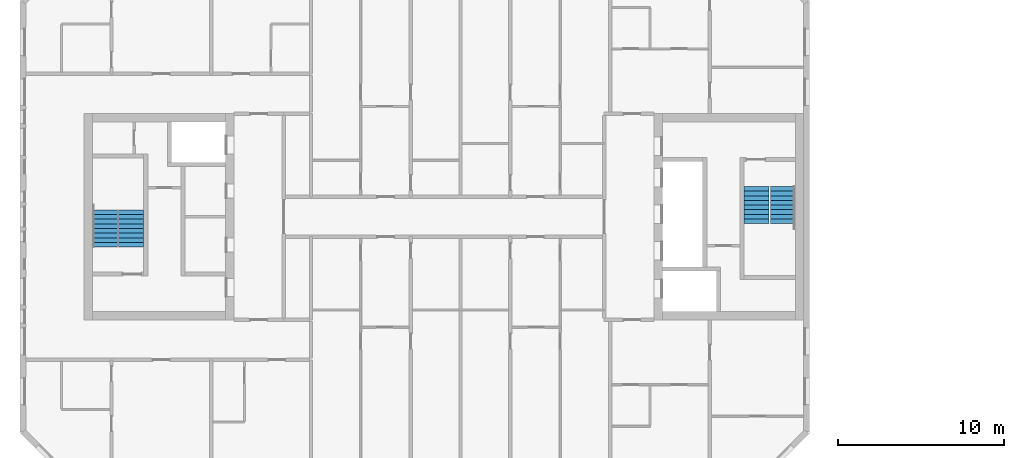
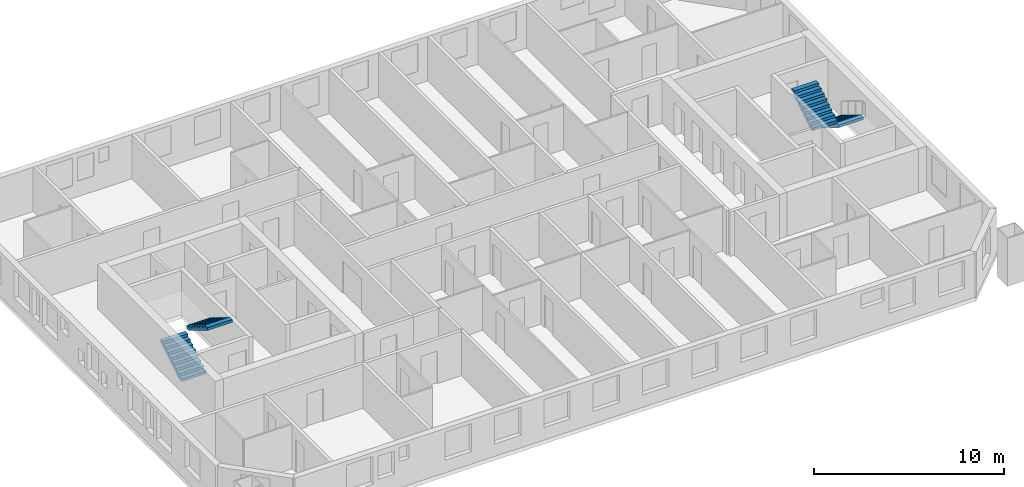
# One storey, part 14 of 15: 4 stair flights, 2 elements without a shape of their own.
"""IFC4 building model written with IfcOpenShell, lengths in metres."""

from ifc_helpers import new_model, si_unit, direction, frame, origin, place, context, subcontext, project, spatial, faceted_brep, material, type_object, element, aggregate, save


model = new_model("IFC4")

# Units and contexts
model_context = context("Model", 3, precision=1e-05, world=origin(), true_north=direction((0.0, 1.0)))
body_context = subcontext(model_context, "Body", "Model", "MODEL_VIEW")
ifc_project = project(units=[si_unit("LENGTHUNIT", "METRE"), si_unit("AREAUNIT", "SQUARE_METRE"), si_unit("VOLUMEUNIT", "CUBIC_METRE"), si_unit("PLANEANGLEUNIT", "RADIAN"), si_unit("MASSUNIT", "GRAM", prefix="KILO")], contexts=[model_context])

# Site, building, storey
site_placement = place(None, origin())
site = spatial("IfcSite", under=ifc_project, at=site_placement, CompositionType="ELEMENT")
building_placement = place(site_placement, origin())
building = spatial("IfcBuilding", under=site, at=building_placement, Name="Tuart Gate Housing", CompositionType="ELEMENT")
storey_placement = place(building_placement, frame((0.0, 0.0, 154.699951171875)))
storey = spatial("IfcBuildingStorey", under=building, at=storey_placement, Name="L43", CompositionType="ELEMENT", Elevation=154.699951171875)

# Stair, stair flights
ifc_material_1 = material(Name="Concrete C40", Category="concrete")
stair_type = type_object("IfcStairType", Name="Core stair 1500", PredefinedType="HALF_TURN_STAIR", material=ifc_material_1)
stair_1_placement = place(storey_placement, origin())
stair_1 = element("IfcStair", 1, at=stair_1_placement, inside=storey, type_object=stair_type, Name="Stair SA1", PredefinedType="HALF_TURN_STAIR")
ifc_material_2 = material(Name="Concrete C40", Category="concrete")
stair_flight_type = type_object("IfcStairFlightType", Name="Stair flight 1500, 9 risers 172 x 280", PredefinedType="STRAIGHT", material=ifc_material_2)
stair_flight_1_placement = place(storey_placement, frame((74.389892578125, 71.824951171875, 0.0), z_axis=(0.0, 0.0, 1.0), x_axis=(0.0, -1.0, 0.0)))
stair_flight_1 = element("IfcStairFlight", 2, at=stair_flight_1_placement, type_object=stair_flight_type, Name="SA1 flight 1", NumberOfRisers=9, NumberOfTreads=8, PredefinedType="STRAIGHT", RiserHeight=0.172222222, TreadLength=0.28, context=body_context, shape_type="Brep", body=[
    faceted_brep([(0.0, 0.75, 0.0), (0.0, 0.75, 0.172119140625), (0.280029296875, 0.75, 0.172119140625), (0.280029296875, 0.75, 0.344482421875), (0.56005859375, 0.75, 0.344482421875), (0.56005859375, 0.75, 0.5166015625), (0.840087890625, 0.75, 0.5166015625), (0.840087890625, 0.75, 0.68896484375), (1.1201171875, 0.75, 0.68896484375), (1.1201171875, 0.75, 0.861083984375), (1.39990234375, 0.75, 0.861083984375), (1.39990234375, 0.75, 1.033447265625), (1.679931640625, 0.75, 1.033447265625), (1.679931640625, 0.75, 1.20556640625), (1.9599609375, 0.75, 1.20556640625), (1.9599609375, 0.75, 1.377685546875), (2.239990234375, 0.75, 1.377685546875), (2.239990234375, 0.75, 1.201904296875), (0.2861328125, 0.75, 0.0), (0.2861328125, -0.75, 0.0), (2.239990234375, -0.75, 1.201904296875), (2.239990234375, -0.75, 1.377685546875), (1.9599609375, -0.75, 1.377685546875), (1.9599609375, -0.75, 1.20556640625), (1.679931640625, -0.75, 1.20556640625), (1.679931640625, -0.75, 1.033447265625), (1.39990234375, -0.75, 1.033447265625), (1.39990234375, -0.75, 0.861083984375), (1.1201171875, -0.75, 0.861083984375), (1.1201171875, -0.75, 0.68896484375), (0.840087890625, -0.75, 0.68896484375), (0.840087890625, -0.75, 0.5166015625), (0.56005859375, -0.75, 0.5166015625), (0.56005859375, -0.75, 0.344482421875), (0.280029296875, -0.75, 0.344482421875), (0.280029296875, -0.75, 0.172119140625), (0.0, -0.75, 0.172119140625), (0.0, -0.75, 0.0), (2.239990234375, 0.0, 1.201904296875), (0.2861328125, 0.0, 0.0), (2.239990234375, 0.0, 1.377685546875), (1.9599609375, 0.0, 1.377685546875), (1.9599609375, 0.0, 1.20556640625), (1.679931640625, 0.0, 1.20556640625), (1.679931640625, 0.0, 1.033447265625), (1.39990234375, 0.0, 1.033447265625), (1.39990234375, 0.0, 0.861083984375), (1.1201171875, 0.0, 0.861083984375), (1.1201171875, 0.0, 0.68896484375), (0.840087890625, 0.0, 0.68896484375), (0.840087890625, 0.0, 0.5166015625), (0.56005859375, 0.0, 0.5166015625), (0.56005859375, 0.0, 0.344482421875), (0.280029296875, 0.0, 0.344482421875), (0.280029296875, 0.0, 0.172119140625), (0.0, 0.0, 0.172119140625), (0.0, 0.0, 0.0)], [[[0, 1, 2, 3, 4, 5, 6, 7, 8, 9, 10, 11, 12, 13, 14, 15, 16, 17, 18]], [[19, 20, 21, 22, 23, 24, 25, 26, 27, 28, 29, 30, 31, 32, 33, 34, 35, 36, 37]], [[18, 17, 38, 39]], [[39, 38, 20, 19]], [[17, 16, 40, 38]], [[38, 40, 21, 20]], [[16, 15, 41, 40]], [[40, 41, 22, 21]], [[15, 14, 42, 41]], [[41, 42, 23, 22]], [[14, 13, 43, 42]], [[42, 43, 24, 23]], [[13, 12, 44, 43]], [[43, 44, 25, 24]], [[12, 11, 45, 44]], [[44, 45, 26, 25]], [[11, 10, 46, 45]], [[45, 46, 27, 26]], [[10, 9, 47, 46]], [[46, 47, 28, 27]], [[9, 8, 48, 47]], [[47, 48, 29, 28]], [[8, 7, 49, 48]], [[48, 49, 30, 29]], [[7, 6, 50, 49]], [[49, 50, 31, 30]], [[6, 5, 51, 50]], [[50, 51, 32, 31]], [[5, 4, 52, 51]], [[51, 52, 33, 32]], [[4, 3, 53, 52]], [[52, 53, 34, 33]], [[3, 2, 54, 53]], [[53, 54, 35, 34]], [[2, 1, 55, 54]], [[54, 55, 36, 35]], [[1, 0, 56, 55]], [[55, 56, 37, 36]], [[0, 18, 39, 56]], [[56, 39, 19, 37]]]),
])
stair_flight_2_placement = place(storey_placement, frame((72.81494140625, 69.5849609375, 1.550048828125), z_axis=(0.0, 0.0, 1.0), x_axis=(0.0, 1.0, 0.0)))
stair_flight_2 = element("IfcStairFlight", 3, at=stair_flight_2_placement, type_object=stair_flight_type, Name="SA1 flight 2", NumberOfRisers=9, NumberOfTreads=8, PredefinedType="STRAIGHT", RiserHeight=0.172222222, TreadLength=0.28, context=body_context, shape_type="Brep", body=[
    faceted_brep([(0.0, 0.75, 0.0), (0.0, 0.75, 0.172119140625), (0.280029296875, 0.75, 0.172119140625), (0.280029296875, 0.75, 0.344482421875), (0.56005859375, 0.75, 0.344482421875), (0.56005859375, 0.75, 0.5166015625), (0.840087890625, 0.75, 0.5166015625), (0.840087890625, 0.75, 0.68896484375), (1.1201171875, 0.75, 0.68896484375), (1.1201171875, 0.75, 0.861083984375), (1.39990234375, 0.75, 0.861083984375), (1.39990234375, 0.75, 1.033447265625), (1.679931640625, 0.75, 1.033447265625), (1.679931640625, 0.75, 1.20556640625), (1.9599609375, 0.75, 1.20556640625), (1.9599609375, 0.75, 1.377685546875), (2.239990234375, 0.75, 1.377685546875), (2.239990234375, 0.75, 1.201904296875), (0.2861328125, 0.75, 0.0), (0.2861328125, -0.75, 0.0), (2.239990234375, -0.75, 1.201904296875), (2.239990234375, -0.75, 1.377685546875), (1.9599609375, -0.75, 1.377685546875), (1.9599609375, -0.75, 1.20556640625), (1.679931640625, -0.75, 1.20556640625), (1.679931640625, -0.75, 1.033447265625), (1.39990234375, -0.75, 1.033447265625), (1.39990234375, -0.75, 0.861083984375), (1.1201171875, -0.75, 0.861083984375), (1.1201171875, -0.75, 0.68896484375), (0.840087890625, -0.75, 0.68896484375), (0.840087890625, -0.75, 0.5166015625), (0.56005859375, -0.75, 0.5166015625), (0.56005859375, -0.75, 0.344482421875), (0.280029296875, -0.75, 0.344482421875), (0.280029296875, -0.75, 0.172119140625), (0.0, -0.75, 0.172119140625), (0.0, -0.75, 0.0), (2.239990234375, 0.0, 1.201904296875), (0.2861328125, 0.0, 0.0), (2.239990234375, 0.0, 1.377685546875), (1.9599609375, 0.0, 1.377685546875), (1.9599609375, 0.0, 1.20556640625), (1.679931640625, 0.0, 1.20556640625), (1.679931640625, 0.0, 1.033447265625), (1.39990234375, 0.0, 1.033447265625), (1.39990234375, 0.0, 0.861083984375), (1.1201171875, 0.0, 0.861083984375), (1.1201171875, 0.0, 0.68896484375), (0.840087890625, 0.0, 0.68896484375), (0.840087890625, 0.0, 0.5166015625), (0.56005859375, 0.0, 0.5166015625), (0.56005859375, 0.0, 0.344482421875), (0.280029296875, 0.0, 0.344482421875), (0.280029296875, 0.0, 0.172119140625), (0.0, 0.0, 0.172119140625), (0.0, 0.0, 0.0)], [[[0, 1, 2, 3, 4, 5, 6, 7, 8, 9, 10, 11, 12, 13, 14, 15, 16, 17, 18]], [[19, 20, 21, 22, 23, 24, 25, 26, 27, 28, 29, 30, 31, 32, 33, 34, 35, 36, 37]], [[18, 17, 38, 39]], [[39, 38, 20, 19]], [[17, 16, 40, 38]], [[38, 40, 21, 20]], [[16, 15, 41, 40]], [[40, 41, 22, 21]], [[15, 14, 42, 41]], [[41, 42, 23, 22]], [[14, 13, 43, 42]], [[42, 43, 24, 23]], [[13, 12, 44, 43]], [[43, 44, 25, 24]], [[12, 11, 45, 44]], [[44, 45, 26, 25]], [[11, 10, 46, 45]], [[45, 46, 27, 26]], [[10, 9, 47, 46]], [[46, 47, 28, 27]], [[9, 8, 48, 47]], [[47, 48, 29, 28]], [[8, 7, 49, 48]], [[48, 49, 30, 29]], [[7, 6, 50, 49]], [[49, 50, 31, 30]], [[6, 5, 51, 50]], [[50, 51, 32, 31]], [[5, 4, 52, 51]], [[51, 52, 33, 32]], [[4, 3, 53, 52]], [[52, 53, 34, 33]], [[3, 2, 54, 53]], [[53, 54, 35, 34]], [[2, 1, 55, 54]], [[54, 55, 36, 35]], [[1, 0, 56, 55]], [[55, 56, 37, 36]], [[0, 18, 39, 56]], [[56, 39, 19, 37]]]),
])
aggregate(stair_1, [stair_flight_1, stair_flight_2])

stair_2_placement = place(storey_placement, origin())
stair_2 = element("IfcStair", 4, at=stair_2_placement, inside=storey, type_object=stair_type, Name="Stair SA2", PredefinedType="HALF_TURN_STAIR")
stair_flight_3_placement = place(storey_placement, frame((33.610107421875, 68.175048828125, 0.0), z_axis=(0.0, 0.0, 1.0), x_axis=(0.0, 1.0, 0.0)))
stair_flight_3 = element("IfcStairFlight", 5, at=stair_flight_3_placement, type_object=stair_flight_type, Name="SA2 flight 1", NumberOfRisers=9, NumberOfTreads=8, PredefinedType="STRAIGHT", RiserHeight=0.172222222, TreadLength=0.28, context=body_context, shape_type="Brep", body=[
    faceted_brep([(0.0, 0.75, 0.0), (0.0, 0.75, 0.172119140625), (0.280029296875, 0.75, 0.172119140625), (0.280029296875, 0.75, 0.344482421875), (0.56005859375, 0.75, 0.344482421875), (0.56005859375, 0.75, 0.5166015625), (0.840087890625, 0.75, 0.5166015625), (0.840087890625, 0.75, 0.68896484375), (1.1201171875, 0.75, 0.68896484375), (1.1201171875, 0.75, 0.861083984375), (1.39990234375, 0.75, 0.861083984375), (1.39990234375, 0.75, 1.033447265625), (1.679931640625, 0.75, 1.033447265625), (1.679931640625, 0.75, 1.20556640625), (1.9599609375, 0.75, 1.20556640625), (1.9599609375, 0.75, 1.377685546875), (2.239990234375, 0.75, 1.377685546875), (2.239990234375, 0.75, 1.201904296875), (0.2861328125, 0.75, 0.0), (0.2861328125, -0.75, 0.0), (2.239990234375, -0.75, 1.201904296875), (2.239990234375, -0.75, 1.377685546875), (1.9599609375, -0.75, 1.377685546875), (1.9599609375, -0.75, 1.20556640625), (1.679931640625, -0.75, 1.20556640625), (1.679931640625, -0.75, 1.033447265625), (1.39990234375, -0.75, 1.033447265625), (1.39990234375, -0.75, 0.861083984375), (1.1201171875, -0.75, 0.861083984375), (1.1201171875, -0.75, 0.68896484375), (0.840087890625, -0.75, 0.68896484375), (0.840087890625, -0.75, 0.5166015625), (0.56005859375, -0.75, 0.5166015625), (0.56005859375, -0.75, 0.344482421875), (0.280029296875, -0.75, 0.344482421875), (0.280029296875, -0.75, 0.172119140625), (0.0, -0.75, 0.172119140625), (0.0, -0.75, 0.0), (2.239990234375, 0.0, 1.201904296875), (0.2861328125, 0.0, 0.0), (2.239990234375, 0.0, 1.377685546875), (1.9599609375, 0.0, 1.377685546875), (1.9599609375, 0.0, 1.20556640625), (1.679931640625, 0.0, 1.20556640625), (1.679931640625, 0.0, 1.033447265625), (1.39990234375, 0.0, 1.033447265625), (1.39990234375, 0.0, 0.861083984375), (1.1201171875, 0.0, 0.861083984375), (1.1201171875, 0.0, 0.68896484375), (0.840087890625, 0.0, 0.68896484375), (0.840087890625, 0.0, 0.5166015625), (0.56005859375, 0.0, 0.5166015625), (0.56005859375, 0.0, 0.344482421875), (0.280029296875, 0.0, 0.344482421875), (0.280029296875, 0.0, 0.172119140625), (0.0, 0.0, 0.172119140625), (0.0, 0.0, 0.0)], [[[0, 1, 2, 3, 4, 5, 6, 7, 8, 9, 10, 11, 12, 13, 14, 15, 16, 17, 18]], [[19, 20, 21, 22, 23, 24, 25, 26, 27, 28, 29, 30, 31, 32, 33, 34, 35, 36, 37]], [[18, 17, 38, 39]], [[39, 38, 20, 19]], [[17, 16, 40, 38]], [[38, 40, 21, 20]], [[16, 15, 41, 40]], [[40, 41, 22, 21]], [[15, 14, 42, 41]], [[41, 42, 23, 22]], [[14, 13, 43, 42]], [[42, 43, 24, 23]], [[13, 12, 44, 43]], [[43, 44, 25, 24]], [[12, 11, 45, 44]], [[44, 45, 26, 25]], [[11, 10, 46, 45]], [[45, 46, 27, 26]], [[10, 9, 47, 46]], [[46, 47, 28, 27]], [[9, 8, 48, 47]], [[47, 48, 29, 28]], [[8, 7, 49, 48]], [[48, 49, 30, 29]], [[7, 6, 50, 49]], [[49, 50, 31, 30]], [[6, 5, 51, 50]], [[50, 51, 32, 31]], [[5, 4, 52, 51]], [[51, 52, 33, 32]], [[4, 3, 53, 52]], [[52, 53, 34, 33]], [[3, 2, 54, 53]], [[53, 54, 35, 34]], [[2, 1, 55, 54]], [[54, 55, 36, 35]], [[1, 0, 56, 55]], [[55, 56, 37, 36]], [[0, 18, 39, 56]], [[56, 39, 19, 37]]]),
])
stair_flight_4_placement = place(storey_placement, frame((35.18505859375, 70.4150390625, 1.550048828125), z_axis=(0.0, 0.0, 1.0), x_axis=(0.0, -1.0, 0.0)))
stair_flight_4 = element("IfcStairFlight", 6, at=stair_flight_4_placement, type_object=stair_flight_type, Name="SA2 flight 2", NumberOfRisers=9, NumberOfTreads=8, PredefinedType="STRAIGHT", RiserHeight=0.172222222, TreadLength=0.28, context=body_context, shape_type="Brep", body=[
    faceted_brep([(0.0, 0.75, 0.0), (0.0, 0.75, 0.172119140625), (0.280029296875, 0.75, 0.172119140625), (0.280029296875, 0.75, 0.344482421875), (0.56005859375, 0.75, 0.344482421875), (0.56005859375, 0.75, 0.5166015625), (0.840087890625, 0.75, 0.5166015625), (0.840087890625, 0.75, 0.68896484375), (1.1201171875, 0.75, 0.68896484375), (1.1201171875, 0.75, 0.861083984375), (1.39990234375, 0.75, 0.861083984375), (1.39990234375, 0.75, 1.033447265625), (1.679931640625, 0.75, 1.033447265625), (1.679931640625, 0.75, 1.20556640625), (1.9599609375, 0.75, 1.20556640625), (1.9599609375, 0.75, 1.377685546875), (2.239990234375, 0.75, 1.377685546875), (2.239990234375, 0.75, 1.201904296875), (0.2861328125, 0.75, 0.0), (0.2861328125, -0.75, 0.0), (2.239990234375, -0.75, 1.201904296875), (2.239990234375, -0.75, 1.377685546875), (1.9599609375, -0.75, 1.377685546875), (1.9599609375, -0.75, 1.20556640625), (1.679931640625, -0.75, 1.20556640625), (1.679931640625, -0.75, 1.033447265625), (1.39990234375, -0.75, 1.033447265625), (1.39990234375, -0.75, 0.861083984375), (1.1201171875, -0.75, 0.861083984375), (1.1201171875, -0.75, 0.68896484375), (0.840087890625, -0.75, 0.68896484375), (0.840087890625, -0.75, 0.5166015625), (0.56005859375, -0.75, 0.5166015625), (0.56005859375, -0.75, 0.344482421875), (0.280029296875, -0.75, 0.344482421875), (0.280029296875, -0.75, 0.172119140625), (0.0, -0.75, 0.172119140625), (0.0, -0.75, 0.0), (2.239990234375, 0.0, 1.201904296875), (0.2861328125, 0.0, 0.0), (2.239990234375, 0.0, 1.377685546875), (1.9599609375, 0.0, 1.377685546875), (1.9599609375, 0.0, 1.20556640625), (1.679931640625, 0.0, 1.20556640625), (1.679931640625, 0.0, 1.033447265625), (1.39990234375, 0.0, 1.033447265625), (1.39990234375, 0.0, 0.861083984375), (1.1201171875, 0.0, 0.861083984375), (1.1201171875, 0.0, 0.68896484375), (0.840087890625, 0.0, 0.68896484375), (0.840087890625, 0.0, 0.5166015625), (0.56005859375, 0.0, 0.5166015625), (0.56005859375, 0.0, 0.344482421875), (0.280029296875, 0.0, 0.344482421875), (0.280029296875, 0.0, 0.172119140625), (0.0, 0.0, 0.172119140625), (0.0, 0.0, 0.0)], [[[0, 1, 2, 3, 4, 5, 6, 7, 8, 9, 10, 11, 12, 13, 14, 15, 16, 17, 18]], [[19, 20, 21, 22, 23, 24, 25, 26, 27, 28, 29, 30, 31, 32, 33, 34, 35, 36, 37]], [[18, 17, 38, 39]], [[39, 38, 20, 19]], [[17, 16, 40, 38]], [[38, 40, 21, 20]], [[16, 15, 41, 40]], [[40, 41, 22, 21]], [[15, 14, 42, 41]], [[41, 42, 23, 22]], [[14, 13, 43, 42]], [[42, 43, 24, 23]], [[13, 12, 44, 43]], [[43, 44, 25, 24]], [[12, 11, 45, 44]], [[44, 45, 26, 25]], [[11, 10, 46, 45]], [[45, 46, 27, 26]], [[10, 9, 47, 46]], [[46, 47, 28, 27]], [[9, 8, 48, 47]], [[47, 48, 29, 28]], [[8, 7, 49, 48]], [[48, 49, 30, 29]], [[7, 6, 50, 49]], [[49, 50, 31, 30]], [[6, 5, 51, 50]], [[50, 51, 32, 31]], [[5, 4, 52, 51]], [[51, 52, 33, 32]], [[4, 3, 53, 52]], [[52, 53, 34, 33]], [[3, 2, 54, 53]], [[53, 54, 35, 34]], [[2, 1, 55, 54]], [[54, 55, 36, 35]], [[1, 0, 56, 55]], [[55, 56, 37, 36]], [[0, 18, 39, 56]], [[56, 39, 19, 37]]]),
])
aggregate(stair_2, [stair_flight_3, stair_flight_4])

save(model, "model.ifc")
